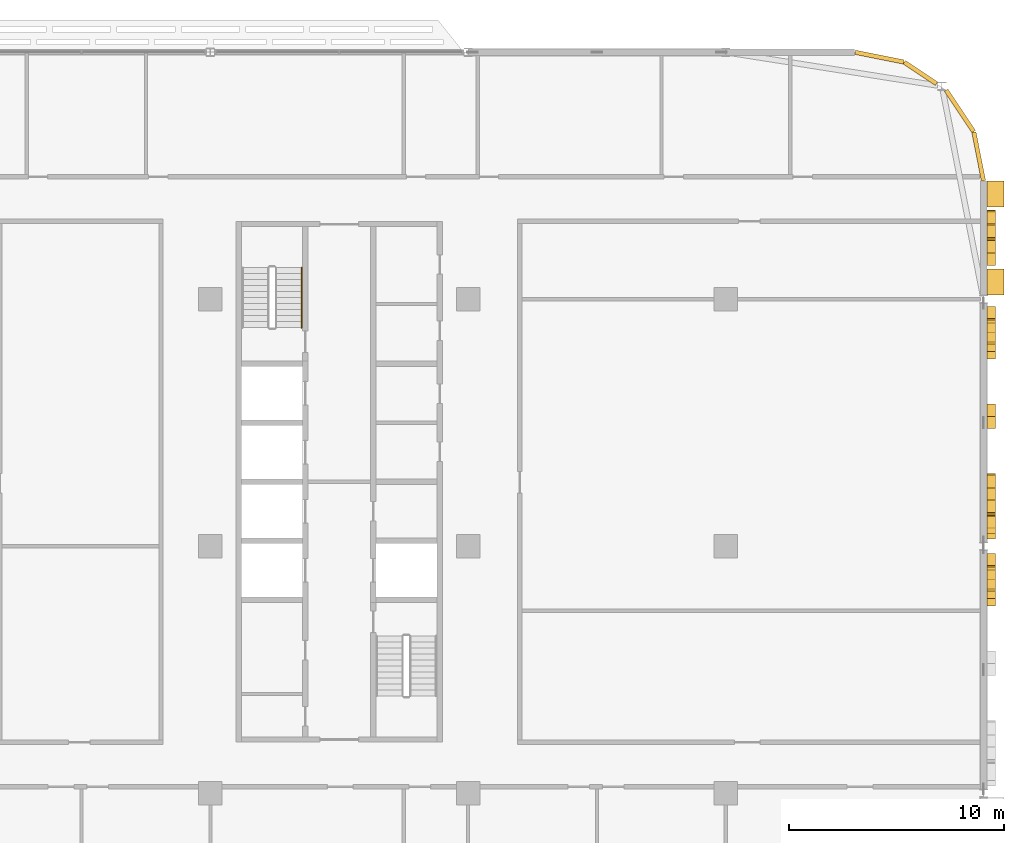
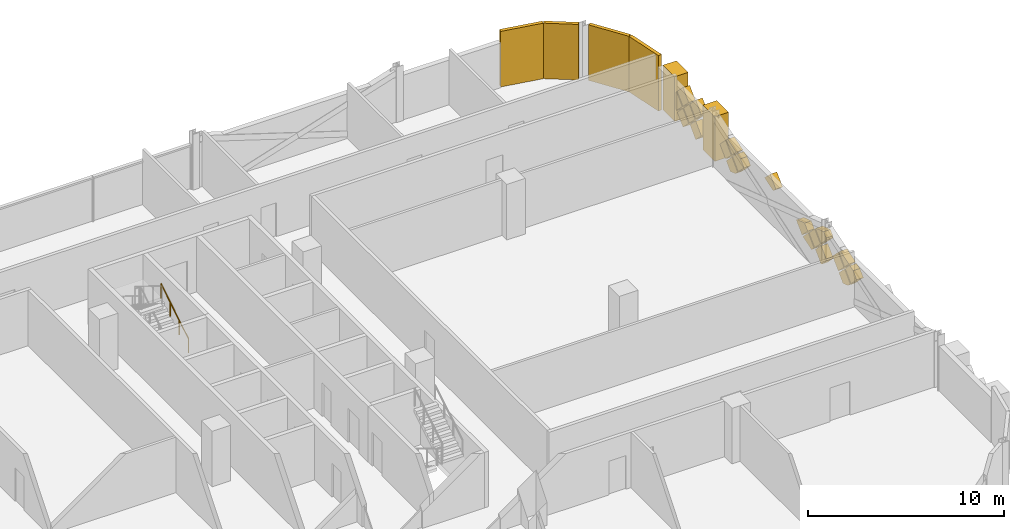
# One storey, part 30 of 30: 26 coverings, 1 railing.
"""IFC4 building model written with IfcOpenShell, lengths in metres."""

from ifc_helpers import new_model, si_unit, direction, frame, origin, origin_2d, place, context, subcontext, project, spatial, polyline, rectangle, circle, outline, extrude, material, layer, layer_set, type_object, element, save


model = new_model("IFC4")

# Units and contexts
model_context = context("Model", 3, precision=1e-05, world=origin(), true_north=direction((0.0, 1.0)))
body_context = subcontext(model_context, "Body", "Model", "MODEL_VIEW")
ifc_project = project(units=[si_unit("LENGTHUNIT", "METRE"), si_unit("AREAUNIT", "SQUARE_METRE"), si_unit("VOLUMEUNIT", "CUBIC_METRE"), si_unit("PLANEANGLEUNIT", "RADIAN"), si_unit("MASSUNIT", "GRAM", prefix="KILO")], contexts=[model_context])

# Site, building, storey
site_placement = place(None, origin())
site = spatial("IfcSite", under=ifc_project, at=site_placement, CompositionType="ELEMENT")
building_placement = place(site_placement, origin())
building = spatial("IfcBuilding", under=site, at=building_placement, Name="Mahtab Terrace Research Tower", CompositionType="ELEMENT")
storey_placement = place(building_placement, frame((0.0, 0.0, 205.300048828125)))
storey = spatial("IfcBuildingStorey", under=building, at=storey_placement, Name="L49", CompositionType="ELEMENT", Elevation=205.300048828125)

# Coverings
ifc_material_1 = material(Name="Black aluminium cladding panel", Category="aluminium")
ifc_layer_1 = layer(ifc_material_1, 0.199951171875)
ifc_layer_set_1 = layer_set([ifc_layer_1], Name="Black metal corner cladding 200")
covering_type_1 = type_object("IfcCoveringType", Name="Black metal corner cladding 200", PredefinedType="CLADDING", material=ifc_layer_set_1)
covering_1_placement = place(storey_placement, frame((52.89306640625, 20.26953125, 0.0), z_axis=(0.0, 0.0, 1.0), x_axis=(-0.555291490808, 0.831655794326, 0.0)))
element("IfcCovering", 1, at=covering_1_placement, inside=storey, type_object=covering_type_1, Name="Corner cladding L49 0", PredefinedType="CLADDING", context=body_context, shape_type="SweptSolid", body=[
    extrude(rectangle(XDim=2.30126953125, YDim=0.199951171875, at=origin_2d()), origin(), (0.0, 0.0, 1.0), 3.4599609375),
])
covering_2_placement = place(storey_placement, frame((51.059814453125, 22.032958984375, 0.0), z_axis=(0.0, 0.0, 1.0), x_axis=(-0.831655794326, 0.555291490808, 0.0)))
element("IfcCovering", 2, at=covering_2_placement, inside=storey, type_object=covering_type_1, Name="Corner cladding L49 1", PredefinedType="CLADDING", context=body_context, shape_type="SweptSolid", body=[
    extrude(rectangle(XDim=1.797119140625, YDim=0.199951171875, at=origin_2d()), origin(), (0.0, 0.0, 1.0), 3.4599609375),
])
for number, where, z_axis, x_axis, name in (
    (3, (49.14794921875, 22.771484375, 0.0), (0.0, 0.0, 1.0), (-0.980760981187, 0.195212442692, 0.0), "Corner cladding L49 2"),
    (4, (53.771484375, 18.14794921875, 0.0), (0.0, 0.0, 1.0), (-0.195212442692, 0.980760981187, 0.0), "Corner cladding L49 39"),
):
    element("IfcCovering", number, at=place(storey_placement, frame(where, z_axis=z_axis, x_axis=x_axis)), inside=storey, type_object=covering_type_1, Name=name, PredefinedType="CLADDING", context=body_context, shape_type="SweptSolid", body=[
        extrude(rectangle(XDim=2.30126953125, YDim=0.199951171875, at=origin_2d()), origin(), (0.0, 0.0, 1.0), 3.4599609375),
    ])
ifc_material_2 = material(Name="Bronze anodised aluminium", Category="aluminium")
ifc_layer_2 = layer(ifc_material_2, 0.39990234375)
ifc_layer_set_2 = layer_set([ifc_layer_2], Name="Mashrabiya relief panel 400")
covering_type_2 = type_object("IfcCoveringType", Name="Mashrabiya relief panel 400", PredefinedType="CLADDING", material=ifc_layer_set_2)
covering_3_placement = place(storey_placement, frame((54.14990234375, -1.6201171875, 1.39990234375), z_axis=(-1.0, 0.0, 0.0), x_axis=(0.0, -0.707106781187, -0.707106781187)))
element("IfcCovering", 5, at=covering_3_placement, inside=storey, type_object=covering_type_2, Name="Mashrabiya lattice cell L49 E36.7", PredefinedType="CLADDING", context=body_context, shape_type="SweptSolid", body=[
    extrude(outline(polyline([(0.0, 0.0), (0.8200090846279543, 0.0), (0.820181718119455, 0.820181718119455), (0.31540138897163633, 0.8201817181194551), (-0.0001726334915006511, 0.661704172921884), (0.0, 0.0)])), origin(), (0.0, 0.0, -1.0), 0.39990234375),
])
covering_4_placement = place(storey_placement, frame((54.14990234375, -2.1298828125, 0.75), z_axis=(-1.0, 0.0, 0.0), x_axis=(0.0, 0.707106781187, 0.707106781187)))
element("IfcCovering", 6, at=covering_4_placement, inside=storey, type_object=covering_type_2, Name="Mashrabiya lattice cell L49 E36.8", PredefinedType="CLADDING", context=body_context, shape_type="SweptSolid", body=[
    extrude(outline(polyline([(0.0, 0.0), (0.8200090846279543, 0.0), (0.820181718119455, 0.820181718119455), (0.2403058201688658, 0.8203543516109556), (0.0, 0.34215958015423276), (0.0, 0.0)])), origin(), (0.0, 0.0, -1.0), 0.39990234375),
])
covering_5_placement = place(storey_placement, frame((54.14990234375, -0.969970703125, 2.050048828125), z_axis=(-1.0, 0.0, 0.0), x_axis=(0.0, -0.707106781187, -0.707106781187)))
element("IfcCovering", 7, at=covering_5_placement, inside=storey, type_object=covering_type_2, Name="Mashrabiya lattice cell L49 E36.9", PredefinedType="CLADDING", context=body_context, shape_type="SweptSolid", body=[
    extrude(outline(polyline([(0.0, 0.0), (0.8203543516109556, 0.0), (0.8203543516109556, 0.6107772929292005), (0.00017263349150060947, 0.19939168268321839), (0.0, 0.0)])), origin(), (0.0, 0.0, -1.0), 0.39990234375),
])
covering_6_placement = place(storey_placement, frame((54.14990234375, -0.89990234375, 0.820068359375), z_axis=(-1.0, 0.0, 0.0), x_axis=(0.0, -0.707255598772, 0.706957932274)))
element("IfcCovering", 8, at=covering_6_placement, inside=storey, type_object=covering_type_2, Name="Mashrabiya lattice cell L49 E36.10", PredefinedType="CLADDING", context=body_context, shape_type="SweptSolid", body=[
    extrude(outline(polyline([(0.0, 0.0), (0.8201817362875763, 0.0), (0.8200090664636573, 0.8203543334390104), (0.02106128549654024, 0.82018616930915), (-0.0001681641298604819, 0.798947780967117), (0.0, 0.0)])), origin(), (0.0, 0.0, -1.0), 0.39990234375),
])
covering_7_placement = place(storey_placement, frame((54.14990234375, 0.85009765625, 1.329833984375), z_axis=(-1.0, 0.0, 0.0), x_axis=(0.0, 0.707106781187, -0.707106781187)))
element("IfcCovering", 9, at=covering_7_placement, inside=storey, type_object=covering_type_2, Name="Mashrabiya lattice cell L49 E37.1", PredefinedType="CLADDING", context=body_context, shape_type="SweptSolid", body=[
    extrude(outline(polyline([(0.0, 0.0), (0.8200090846279543, 0.0), (0.820181718119455, 0.820181718119455), (0.0916683839868303, 0.820181718119455), (-0.0001726334915005956, 0.728340700641124), (0.0, 0.0)])), origin(), (0.0, 0.0, -1.0), 0.39990234375),
])
covering_8_placement = place(storey_placement, frame((54.14990234375, 1.429931640625, 2.050048828125), z_axis=(-1.0, 0.0, 0.0), x_axis=(0.0, -0.706957932274, -0.707255598772)))
element("IfcCovering", 10, at=covering_8_placement, inside=storey, type_object=covering_type_2, Name="Mashrabiya lattice cell L49 E37.2", PredefinedType="CLADDING", context=body_context, shape_type="SweptSolid", body=[
    extrude(outline(polyline([(0.0, 0.0), (0.8201817362875763, 0.0), (0.8202010671685369, 0.7283407208436468), (0.7281680510197277, 0.8203350025580498), (0.37599573615954646, 0.8202608766235392), (-1.5479239265467348e-05, 0.07354186575021432), (0.0, 0.0)])), origin(), (0.0, 0.0, -1.0), 0.39990234375),
])
covering_9_placement = place(storey_placement, frame((54.14990234375, 1.5, 1.97998046875), z_axis=(-1.0, 0.0, 0.0), x_axis=(0.0, 0.707106781187, -0.707106781187)))
element("IfcCovering", 11, at=covering_9_placement, inside=storey, type_object=covering_type_2, Name="Mashrabiya lattice cell L49 E37.3", PredefinedType="CLADDING", context=body_context, shape_type="SweptSolid", body=[
    extrude(outline(polyline([(0.0, 0.0), (0.8203543516109556, 0.0), (0.820181718119455, 0.820181718119455), (0.0, 0.8203543516109556), (0.0, 0.0)])), origin(), (0.0, 0.0, -1.0), 0.39990234375),
])
covering_10_placement = place(storey_placement, frame((54.14990234375, 1.570068359375, 0.75), z_axis=(-1.0, 0.0, 0.0), x_axis=(0.0, 0.707106781187, 0.707106781187)))
element("IfcCovering", 12, at=covering_10_placement, inside=storey, type_object=covering_type_2, Name="Mashrabiya lattice cell L49 E37.4", PredefinedType="CLADDING", context=body_context, shape_type="SweptSolid", body=[
    extrude(outline(polyline([(0.0, 0.0), (0.8200090846279543, 0.0), (0.8200090846279543, 0.7820297164978175), (0.0, 0.3690904048283298), (0.0, 0.0)])), origin(), (0.0, 0.0, -1.0), 0.39990234375),
])
covering_11_placement = place(storey_placement, frame((54.14990234375, 3.3798828125, 1.39990234375), z_axis=(-1.0, 0.0, 0.0), x_axis=(0.0, -0.707106781187, -0.707106781187)))
element("IfcCovering", 13, at=covering_11_placement, inside=storey, type_object=covering_type_2, Name="Mashrabiya lattice cell L49 E37.5", PredefinedType="CLADDING", context=body_context, shape_type="SweptSolid", body=[
    extrude(outline(polyline([(0.0, 0.0), (0.8200090846279543, 0.0), (0.820181718119455, 0.820181718119455), (0.3689177713368291, 0.820181718119455), (-0.00017263349150062335, 0.08614411225881036), (0.0, 0.0)])), origin(), (0.0, 0.0, -1.0), 0.39990234375),
])
covering_12_placement = place(storey_placement, frame((54.14990234375, 5.469970703125, 2.050048828125), z_axis=(-1.0, 0.0, 0.0), x_axis=(0.0, 0.707255598772, 0.706957932274)))
element("IfcCovering", 14, at=covering_12_placement, inside=storey, type_object=covering_type_2, Name="Mashrabiya lattice cell L49 E37.6", PredefinedType="CLADDING", context=body_context, shape_type="SweptSolid", body=[
    extrude(outline(polyline([(0.0, 0.0), (0.8201817362875763, 0.0), (0.8203487376576798, 0.7934235093614672), (0.009921392971828785, 0.3861790407666462), (0.0, 0.0)])), origin(), (0.0, 0.0, -1.0), 0.39990234375),
])
covering_13_placement = place(storey_placement, frame((54.14990234375, 9.8798828125, 1.39990234375), z_axis=(-1.0, 0.0, 0.0), x_axis=(0.0, -0.707106781187, -0.707106781187)))
element("IfcCovering", 15, at=covering_13_placement, inside=storey, type_object=covering_type_2, Name="Mashrabiya lattice cell L49 E37.7", PredefinedType="CLADDING", context=body_context, shape_type="SweptSolid", body=[
    extrude(outline(polyline([(0.0, 0.0), (0.8200090846279543, 0.0), (0.820181718119455, 0.820181718119455), (0.31540138897163633, 0.8201817181194551), (-0.0001726334915006511, 0.661704172921884), (0.0, 0.0)])), origin(), (0.0, 0.0, -1.0), 0.39990234375),
])
covering_14_placement = place(storey_placement, frame((54.14990234375, 9.3701171875, 0.75), z_axis=(-1.0, 0.0, 0.0), x_axis=(0.0, 0.707106781187, 0.707106781187)))
element("IfcCovering", 16, at=covering_14_placement, inside=storey, type_object=covering_type_2, Name="Mashrabiya lattice cell L49 E37.8", PredefinedType="CLADDING", context=body_context, shape_type="SweptSolid", body=[
    extrude(outline(polyline([(0.0, 0.0), (0.8200090846279543, 0.0), (0.820181718119455, 0.820181718119455), (0.2403058201688658, 0.8203543516109556), (0.0, 0.34215958015423276), (0.0, 0.0)])), origin(), (0.0, 0.0, -1.0), 0.39990234375),
])
covering_15_placement = place(storey_placement, frame((54.14990234375, 10.530029296875, 2.050048828125), z_axis=(-1.0, 0.0, 0.0), x_axis=(0.0, -0.707106781187, -0.707106781187)))
element("IfcCovering", 17, at=covering_15_placement, inside=storey, type_object=covering_type_2, Name="Mashrabiya lattice cell L49 E37.9", PredefinedType="CLADDING", context=body_context, shape_type="SweptSolid", body=[
    extrude(outline(polyline([(0.0, 0.0), (0.8203543516109556, 0.0), (0.8203543516109556, 0.6107772929292005), (0.00017263349150060947, 0.19939168268321839), (0.0, 0.0)])), origin(), (0.0, 0.0, -1.0), 0.39990234375),
])
covering_16_placement = place(storey_placement, frame((54.14990234375, 10.60009765625, 0.820068359375), z_axis=(-1.0, 0.0, 0.0), x_axis=(0.0, -0.707255598772, 0.706957932274)))
element("IfcCovering", 18, at=covering_16_placement, inside=storey, type_object=covering_type_2, Name="Mashrabiya lattice cell L49 E37.10", PredefinedType="CLADDING", context=body_context, shape_type="SweptSolid", body=[
    extrude(outline(polyline([(0.0, 0.0), (0.8201817362875763, 0.0), (0.8200090664636573, 0.8203543334390104), (0.02106128549654024, 0.82018616930915), (-0.0001681641298604819, 0.798947780967117), (0.0, 0.0)])), origin(), (0.0, 0.0, -1.0), 0.39990234375),
])
for number, where, z_axis, x_axis, name in (
    (19, (54.14990234375, 13.64990234375, 1.329833984375), (-1.0, 0.0, 0.0), (0.0, 0.707255598772, -0.706957932274), "Mashrabiya lattice cell L49 E38.1"),
    (20, (54.14990234375, 13.64990234375, 2.6298828125), (-1.0, 0.0, 0.0), (0.0, 0.707255598772, -0.706957932274), "Mashrabiya lattice cell L49 E38.2"),
):
    element("IfcCovering", number, at=place(storey_placement, frame(where, z_axis=z_axis, x_axis=x_axis)), inside=storey, type_object=covering_type_2, Name=name, PredefinedType="CLADDING", context=body_context, shape_type="SweptSolid", body=[
        extrude(outline(polyline([(0.0, 0.0), (0.8201817362875763, 0.0), (0.8200090664636573, 0.8203543334390104), (-0.00017259715143413956, 0.8200090664636573), (0.0, 0.0)])), origin(), (0.0, 0.0, -1.0), 0.39990234375),
    ])
covering_17_placement = place(storey_placement, frame((54.14990234375, 14.300048828125, 1.97998046875), z_axis=(-1.0, 0.0, 0.0), x_axis=(0.0, 0.706957932274, -0.707255598772)))
element("IfcCovering", 21, at=covering_17_placement, inside=storey, type_object=covering_type_2, Name="Mashrabiya lattice cell L49 E38.3", PredefinedType="CLADDING", context=body_context, shape_type="SweptSolid", body=[
    extrude(outline(polyline([(0.0, 0.0), (0.8201817362875763, 0.0), (0.8203543334390104, 0.8200090664636573), (0.00017266982391900276, 0.8203543334390104), (0.0, 0.0)])), origin(), (0.0, 0.0, -1.0), 0.39990234375),
])
for number, where, z_axis, x_axis, name in (
    (22, (54.14990234375, 14.949951171875, 1.329833984375), (-1.0, 0.0, 0.0), (0.0, 0.707255598772, -0.706957932274), "Mashrabiya lattice cell L49 E38.4"),
    (23, (54.14990234375, 14.949951171875, 2.6298828125), (-1.0, 0.0, 0.0), (0.0, 0.707255598772, -0.706957932274), "Mashrabiya lattice cell L49 E38.5"),
):
    element("IfcCovering", number, at=place(storey_placement, frame(where, z_axis=z_axis, x_axis=x_axis)), inside=storey, type_object=covering_type_2, Name=name, PredefinedType="CLADDING", context=body_context, shape_type="SweptSolid", body=[
        extrude(outline(polyline([(0.0, 0.0), (0.8201817362875763, 0.0), (0.8200090664636573, 0.8203543334390104), (-0.00017259715143413956, 0.8200090664636573), (0.0, 0.0)])), origin(), (0.0, 0.0, -1.0), 0.39990234375),
    ])
covering_18_placement = place(storey_placement, frame((54.14990234375, 15.60009765625, 0.820068359375), z_axis=(-1.0, 0.0, 0.0), x_axis=(0.0, -0.707255598772, 0.706957932274)))
element("IfcCovering", 24, at=covering_18_placement, inside=storey, type_object=covering_type_2, Name="Mashrabiya lattice cell L49 E38.6", PredefinedType="CLADDING", context=body_context, shape_type="SweptSolid", body=[
    extrude(outline(polyline([(0.0, 0.0), (0.8201817362875763, 0.0), (0.8200090664636573, 0.8203543334390104), (0.7281680510197277, 0.8203350025580498), (-1.9330880960628793e-05, 0.09184101544392961), (0.0, 0.0)])), origin(), (0.0, 0.0, -1.0), 0.39990234375),
])
ifc_material_3 = material(Name="Glazed ceramic tile cladding", Category="masonry")
ifc_layer_3 = layer(ifc_material_3, 0.800048828125)
ifc_layer_set_3 = layer_set([ifc_layer_3], Name="Pishtaq frame pier 800")
covering_type_3 = type_object("IfcCoveringType", Name="Pishtaq frame pier 800", PredefinedType="CLADDING", material=ifc_layer_set_3)
for number, where, z_axis, x_axis, name in (
    (25, (54.550048828125, 12.300048828125, 0.0), (0.0, 0.0, 1.0), (0.0, 1.0, 0.0), "Pishtaq frame pier 38a"),
    (26, (54.550048828125, 16.39990234375, 0.0), (0.0, 0.0, 1.0), (0.0, 1.0, 0.0), "Pishtaq frame pier 38b"),
):
    element("IfcCovering", number, at=place(storey_placement, frame(where, z_axis=z_axis, x_axis=x_axis)), inside=storey, type_object=covering_type_3, Name=name, PredefinedType="CLADDING", context=body_context, shape_type="SweptSolid", body=[
        extrude(rectangle(XDim=1.199951171875, YDim=0.800048828125, at=origin_2d()), origin(), (0.0, 0.0, 1.0), 2.781982421875),
    ])

# Railing
ifc_material_4 = material(Name="Stainless steel AISI 304", Category="steel")
railing_type = type_object("IfcRailingType", Name="Stair handrail 900", PredefinedType="HANDRAIL", material=ifc_material_4)
railing_placement = place(storey_placement, frame((22.25, 10.175048828125, 0.172607421875)))
element("IfcRailing", 27, at=railing_placement, inside=storey, type_object=railing_type, Name="L49 ST3 stair handrail 1", PredefinedType="HANDRAIL", context=body_context, shape_type="SweptSolid", body=[
    extrude(circle(Radius=0.02392578125, at=origin_2d()), frame((0.0, 0.0, 0.8759765625), z_axis=(0.0, 0.851089632645, 0.525020415988), x_axis=(-1.0, 0.0, 0.0)), (0.0, 0.0, 1.0), 3.2900390625),
    extrude(circle(Radius=0.02099609375, at=origin_2d()), origin(), (0.0, 0.0, 1.0), 0.851806640625),
    extrude(circle(Radius=0.02099609375, at=origin_2d()), frame((0.0, 0.933349609375, 0.57568359375)), (0.0, 0.0, 1.0), 0.851806640625),
    extrude(circle(Radius=0.02099609375, at=origin_2d()), frame((0.0, 1.86669921875, 1.151611328125)), (0.0, 0.0, 1.0), 0.851806640625),
    extrude(circle(Radius=0.02099609375, at=origin_2d()), frame((0.0, 2.800048828125, 1.727294921875)), (0.0, 0.0, 1.0), 0.851806640625),
])

save(model, "model.ifc")
